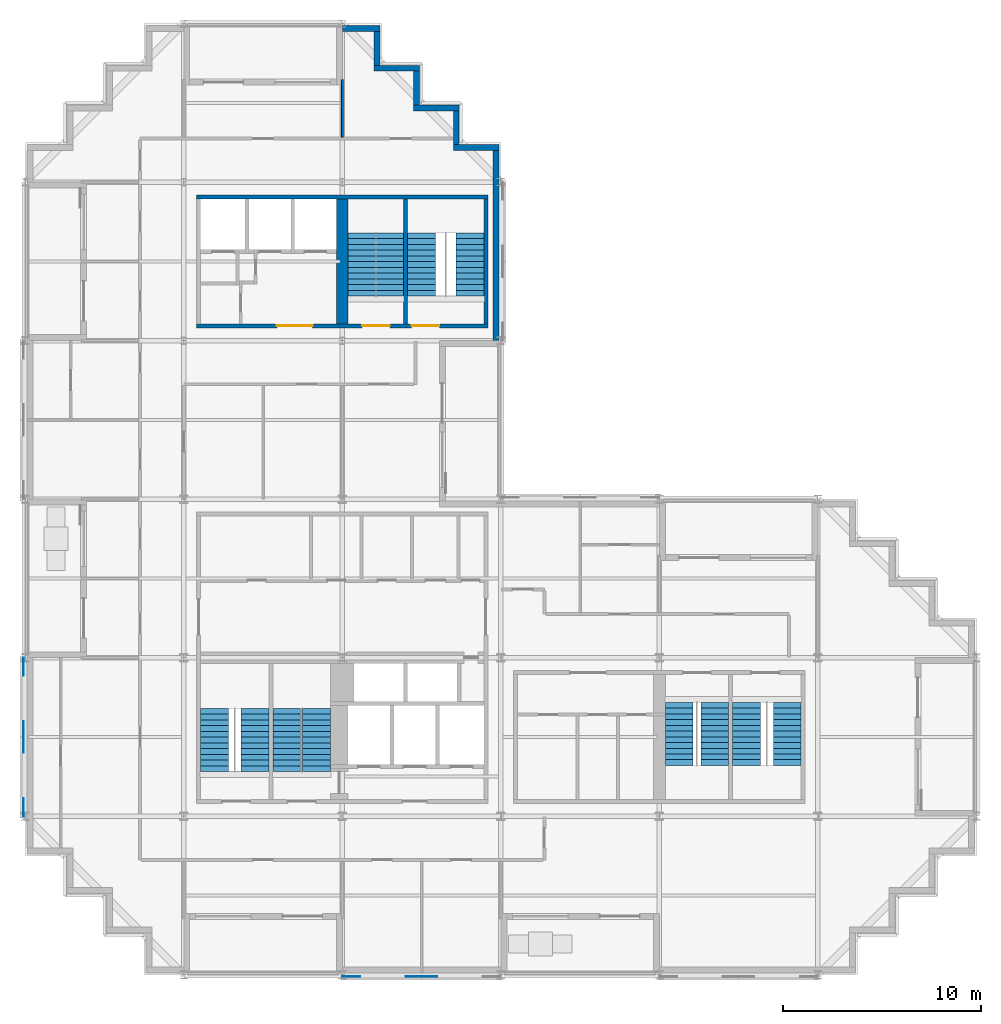
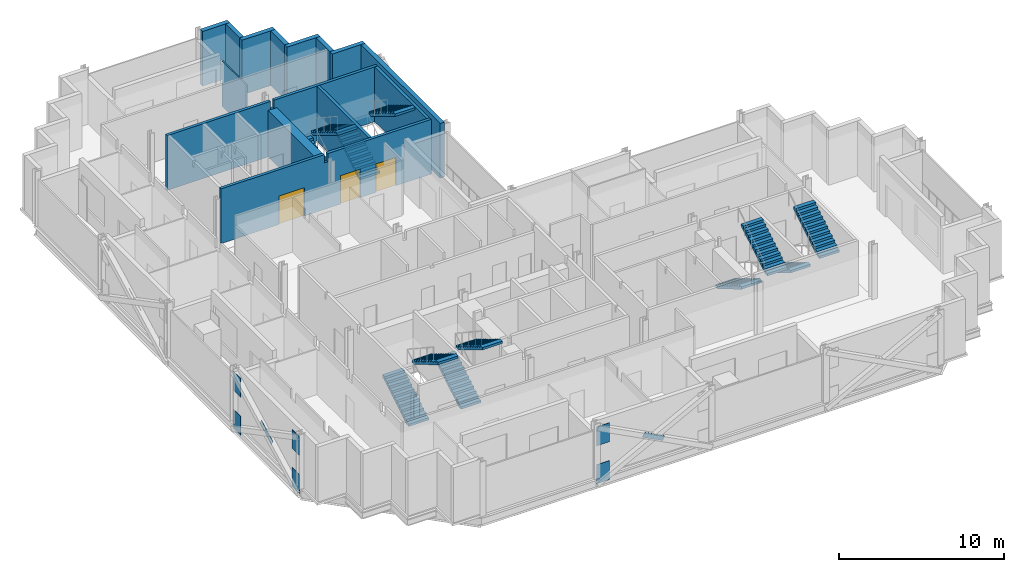
# One storey, part 9 of 13: 14 walls, 12 stair flights, 8 discrete accessories, 3 doors, 3 openings, 6 elements without a shape of their own.
"""IFC4 building model written with IfcOpenShell, lengths in metres."""

import ifcopenshell
import ifcopenshell.guid

model = None  # the IFC model being written
_history = None  # IfcOwnerHistory: only IFC2X3 demands one
_inside = {}  # id of a spatial element -> (the spatial element, [elements in it])
_under = {}  # id of a project, library or spatial element -> (it, [spatial elements below it])
_declared = {}  # id of a project -> (the project, [libraries it declares])
_typed = {}  # id of a type object -> (the type object, [elements of that type])
_made_of = {}  # id of a material, layer set ... -> (it, [elements and type objects made of it])


def new_model(schema):
    """Start an empty IFC model of exactly this schema.

    Asked for "IFC4X3", IfcOpenShell would pick the latest addendum, in which some entities
    have other attributes; the version numbers below select the first issue.
    IFC2X3 requires an IfcOwnerHistory on every rooted entity: one is made here for all.
    """
    global model, _history
    if schema == "IFC4X3":
        model = ifcopenshell.file(schema_version=(4, 3, 0, 0))
    else:
        model = ifcopenshell.file(schema=schema)
    _inside.clear()
    _under.clear()
    _declared.clear()
    _typed.clear()
    _made_of.clear()
    _history = None
    if model.schema == "IFC2X3":
        org = make("IfcOrganization", Name="unknown")
        user = make(
            "IfcPersonAndOrganization",
            ThePerson=make("IfcPerson", FamilyName="unknown"),
            TheOrganization=org,
        )
        app = make(
            "IfcApplication",
            ApplicationDeveloper=org,
            Version="unknown",
            ApplicationFullName="unknown",
            ApplicationIdentifier="unknown",
        )
        _history = make(
            "IfcOwnerHistory",
            OwningUser=user,
            OwningApplication=app,
            ChangeAction="ADDED",
            CreationDate=0,
        )
    return model


def make(cls, **values):
    """One entity of the class cls with the attributes given. An attribute that is None is left unset."""
    return model.create_entity(
        cls, **{name: value for name, value in values.items() if value is not None}
    )


def rooted(cls, **values):
    """An entity with a GlobalId (a new one), such as an element, a storey or a relation."""
    return make(cls, GlobalId=ifcopenshell.guid.new(), OwnerHistory=_history, **values)


def si_unit(unit_type, name, prefix=None):
    """IfcSIUnit, for example si_unit("LENGTHUNIT", "METRE", prefix="MILLI")."""
    return make("IfcSIUnit", UnitType=unit_type, Prefix=prefix, Name=name)


def assignment(units):
    """IfcUnitAssignment: the units of a project."""
    return None if units is None else make("IfcUnitAssignment", Units=units)


def point(xyz):
    """IfcCartesianPoint."""
    return None if xyz is None else make("IfcCartesianPoint", Coordinates=xyz)


def direction(xyz):
    """IfcDirection."""
    return None if xyz is None else make("IfcDirection", DirectionRatios=xyz)


def frame(location, z_axis=None, x_axis=None):
    """IfcAxis2Placement3D, a coordinate frame: its origin and axes. An axis left out is left unset."""
    return make(
        "IfcAxis2Placement3D",
        Location=point(location),
        Axis=direction(z_axis),
        RefDirection=direction(x_axis),
    )


def frame_2d(location, x_axis=None):
    """IfcAxis2Placement2D, a coordinate frame in the plane: its origin and x axis."""
    return make(
        "IfcAxis2Placement2D", Location=point(location), RefDirection=direction(x_axis)
    )


def origin():
    """The frame at (0, 0, 0) with its axes left unset."""
    return frame((0.0, 0.0, 0.0))


def origin_2d():
    """The frame at (0, 0) in the plane with its x axis left unset."""
    return frame_2d((0.0, 0.0))


def place(relative_to, where):
    """IfcLocalPlacement: puts the frame where relative to a parent placement (None: the world)."""
    return make(
        "IfcLocalPlacement", PlacementRelTo=relative_to, RelativePlacement=where
    )


def context(
    kind, dimensions, precision=None, world=None, true_north=None, identifier=None
):
    """IfcGeometricRepresentationContext, for example the 3D "Model" context."""
    return make(
        "IfcGeometricRepresentationContext",
        ContextIdentifier=identifier,
        ContextType=kind,
        CoordinateSpaceDimension=dimensions,
        Precision=precision,
        WorldCoordinateSystem=world,
        TrueNorth=true_north,
    )


def subcontext(parent, identifier, kind, view, scale=None):
    """IfcGeometricRepresentationSubContext, for example "Body" below "Model"."""
    return make(
        "IfcGeometricRepresentationSubContext",
        ContextIdentifier=identifier,
        ContextType=kind,
        ParentContext=parent,
        TargetScale=scale,
        TargetView=view,
    )


def project(units=None, contexts=None):
    """IfcProject with its units and contexts."""
    return rooted(
        "IfcProject",
        Name="project",
        RepresentationContexts=contexts,
        UnitsInContext=assignment(units),
    )


def spatial(cls, under=None, at=None, **own):
    """A site, building, storey or space (cls), placed at a placement, below another one or the project."""
    s = rooted(cls, ObjectPlacement=at, **own)
    if under is not None:
        _under.setdefault(under.id(), (under, []))[1].append(s)
    return s


def polyline(points):
    """IfcPolyline through the points."""
    return make("IfcPolyline", Points=[point(p) for p in points])


def profile(cls, at=None, kind="AREA", **sizes):
    """A parametric profile (cls). Its sizes go by their IFC names, for example OverallWidth=200.0."""
    return make(cls, ProfileType=kind, Position=at, **sizes)


def rectangle(**sizes):
    """IfcRectangleProfileDef."""
    return profile("IfcRectangleProfileDef", **sizes)


def outline(outer, holes=None, kind="AREA"):
    """IfcArbitraryClosedProfileDef: a profile drawn as a closed curve; with holes, ...WithVoids."""
    if holes is None:
        return make("IfcArbitraryClosedProfileDef", ProfileType=kind, OuterCurve=outer)
    return make(
        "IfcArbitraryProfileDefWithVoids",
        ProfileType=kind,
        OuterCurve=outer,
        InnerCurves=holes,
    )


def extrude(swept, where, along, depth):
    """IfcExtrudedAreaSolid: the profile swept, set in the frame where, extruded along a direction by depth."""
    return make(
        "IfcExtrudedAreaSolid",
        SweptArea=swept,
        Position=where,
        ExtrudedDirection=direction(along),
        Depth=depth,
    )


def shape(context_of_items, identifier, shape_type, items):
    """IfcShapeRepresentation: the items that make up one representation, for example the "Body"."""
    return make(
        "IfcShapeRepresentation",
        ContextOfItems=context_of_items,
        RepresentationIdentifier=identifier,
        RepresentationType=shape_type,
        Items=items,
    )


def material(Name=None, Category=None):
    """IfcMaterial."""
    return make("IfcMaterial", Name=Name, Category=Category)


def layer(
    of_material, thickness, ventilated=None, Name=None, Category=None, Priority=None
):
    """IfcMaterialLayer: one layer of a wall or slab, of a material (None: an air gap)."""
    return make(
        "IfcMaterialLayer",
        Material=of_material,
        LayerThickness=thickness,
        IsVentilated=ventilated,
        Name=Name,
        Category=Category,
        Priority=Priority,
    )


def layer_set(layers, Name=None):
    """IfcMaterialLayerSet."""
    return make("IfcMaterialLayerSet", MaterialLayers=layers, LayerSetName=Name)


def material_profile(
    of_material, cross_section, Name=None, Category=None, Priority=None
):
    """IfcMaterialProfile: a cross section and its material."""
    return make(
        "IfcMaterialProfile",
        Name=Name,
        Material=of_material,
        Profile=cross_section,
        Priority=Priority,
        Category=Category,
    )


def profile_set(profiles, Name=None, composite=None):
    """IfcMaterialProfileSet."""
    return make(
        "IfcMaterialProfileSet",
        Name=Name,
        MaterialProfiles=profiles,
        CompositeProfile=composite,
    )


def made_of(thing, what):
    """Note that an element or type object is made of a material, layer set ...; save() writes the relation."""
    if what is not None:
        _made_of.setdefault(what.id(), (what, []))[1].append(thing)
    return thing


def type_object(cls, material=None, **own):
    """A type object (cls), such as IfcWallType, which elements share."""
    return made_of(rooted(cls, **own), material)


def element(
    cls,
    number,
    at=None,
    inside=None,
    cuts=None,
    type_object=None,
    material=None,
    context=None,
    identifier="Body",
    shape_type=None,
    held_by="IfcProductDefinitionShape",
    body=None,
    shapes=None,
    **own,
):
    """One element of the class cls, such as IfcWall. Its Tag is "e" and its number.

    at: its placement. inside: the storey or other place that contains it. cuts: it is an
    opening in that element (IfcRelVoidsElement). A single representation is given by context,
    identifier, shape_type and body (its items); several are given by shapes. held_by: the class
    of the entity that holds the representations. save() writes the other relations.
    """
    e = rooted(cls, Tag="e%d" % number, ObjectPlacement=at, **own)
    if body is not None:
        shapes = [shape(context, identifier, shape_type, body)]
    if shapes is not None:
        e.Representation = make(held_by, Representations=shapes)
    if inside is not None:
        _inside.setdefault(inside.id(), (inside, []))[1].append(e)
    if cuts is not None:
        rooted(
            "IfcRelVoidsElement", RelatingBuildingElement=cuts, RelatedOpeningElement=e
        )
    if type_object is not None:
        _typed.setdefault(type_object.id(), (type_object, []))[1].append(e)
    return made_of(e, material)


def fill(opening, filler):
    """IfcRelFillsElement: the door or window that sits in an opening."""
    return rooted(
        "IfcRelFillsElement",
        RelatingOpeningElement=opening,
        RelatedBuildingElement=filler,
    )


def aggregate(whole, parts):
    """IfcRelAggregates: a whole, such as a stair, and the parts it consists of."""
    return rooted("IfcRelAggregates", RelatingObject=whole, RelatedObjects=parts)


def save(model, path):
    """Write the relations noted so far, then the file.

    IfcRelAggregates (storeys below a building ...), IfcRelContainedInSpatialStructure (elements
    in a storey), IfcRelDefinesByType, IfcRelAssociatesMaterial and IfcRelDeclares: one each for
    every whole, place, type object, material and project.
    """
    for whole, parts in _under.values():
        aggregate(whole, parts)
    for where, things in _inside.values():
        rooted(
            "IfcRelContainedInSpatialStructure",
            RelatedElements=things,
            RelatingStructure=where,
        )
    for kind, things in _typed.values():
        rooted("IfcRelDefinesByType", RelatedObjects=things, RelatingType=kind)
    for what, things in _made_of.values():
        rooted("IfcRelAssociatesMaterial", RelatedObjects=things, RelatingMaterial=what)
    for by, libraries in _declared.values():
        rooted("IfcRelDeclares", RelatingContext=by, RelatedDefinitions=libraries)
    model.write(path)


model = new_model("IFC4")

# Units and contexts
model_context = context("Model", 3, precision=1e-05, world=origin(), true_north=direction((0.0, 1.0)))
body_context = subcontext(model_context, "Body", "Model", "MODEL_VIEW")
ifc_project = project(units=[si_unit("LENGTHUNIT", "METRE"), si_unit("AREAUNIT", "SQUARE_METRE"), si_unit("VOLUMEUNIT", "CUBIC_METRE"), si_unit("PLANEANGLEUNIT", "RADIAN"), si_unit("MASSUNIT", "GRAM", prefix="KILO")], contexts=[model_context])

# Site, building, storey
site_placement = place(None, origin())
site = spatial("IfcSite", under=ifc_project, at=site_placement, CompositionType="ELEMENT")
building_placement = place(site_placement, origin())
building = spatial("IfcBuilding", under=site, at=building_placement, Name="Immortelle Media Tower", CompositionType="ELEMENT")
storey_placement = place(building_placement, frame((0.0, 0.0, 170.39990234375)))
storey = spatial("IfcBuildingStorey", under=building, at=storey_placement, Name="L35", CompositionType="ELEMENT", Elevation=170.39990234375)

# Walls
ifc_material_1 = material(Name="Pale aluminium cladding panel", Category="aluminium")
ifc_layer_1 = layer(ifc_material_1, 0.030029296875)
ifc_material_2 = material(Name="Steel ASTM A653 SS Gr 50 stud frame with mineral wool", Category="steel")
ifc_layer_2 = layer(ifc_material_2, 0.257568359375)
ifc_material_3 = material(Name="Moisture-resistant gypsum board", Category="gypsum")
ifc_layer_3 = layer(ifc_material_3, 0.012451171875)
ifc_layer_set_1 = layer_set([ifc_layer_1, ifc_layer_2, ifc_layer_3], Name="Steel ASTM A653 SS Gr 50 stud frame with mineral wool")
wall_type_1 = type_object("IfcWallType", Name="Facade wall 300", PredefinedType="SOLIDWALL", material=ifc_layer_set_1)
wall_1_placement = place(storey_placement, frame((23.75, 32.0, 0.0), z_axis=(0.0, 0.0, 1.0), x_axis=(0.0, 1.0, 0.0)))
element("IfcWall", 1, at=wall_1_placement, inside=storey, type_object=wall_type_1, Name="Facade wall L35 E21", PredefinedType="SOLIDWALL", context=body_context, shape_type="SweptSolid", body=[
    extrude(rectangle(XDim=9.60009765625, YDim=0.300048828125, at=frame_2d((4.800048828125, 0.0))), origin(), (0.0, 0.0, 1.0), 4.050048828125),
])
wall_2_placement = place(storey_placement, frame((23.89990234375, 41.75, 0.0), z_axis=(0.0, 0.0, 1.0), x_axis=(-1.0, 0.0, 0.0)))
element("IfcWall", 2, at=wall_2_placement, inside=storey, type_object=wall_type_1, Name="Facade wall L35 N22", PredefinedType="SOLIDWALL", context=body_context, shape_type="SweptSolid", body=[
    extrude(rectangle(XDim=2.2998046875, YDim=0.300048828125, at=frame_2d((1.14990234375, 0.0))), origin(), (0.0, 0.0, 1.0), 4.050048828125),
])
wall_3_placement = place(storey_placement, frame((21.75, 41.89990234375, 0.0), z_axis=(0.0, 0.0, 1.0), x_axis=(0.0, 1.0, 0.0)))
element("IfcWall", 3, at=wall_3_placement, inside=storey, type_object=wall_type_1, Name="Facade wall L35 E23", PredefinedType="SOLIDWALL", context=body_context, shape_type="SweptSolid", body=[
    extrude(rectangle(XDim=1.7001953125, YDim=0.300048828125, at=frame_2d((0.85009765625, 0.0))), origin(), (0.0, 0.0, 1.0), 4.050048828125),
])
wall_4_placement = place(storey_placement, frame((21.89990234375, 43.75, 0.0), z_axis=(0.0, 0.0, 1.0), x_axis=(-1.0, 0.0, 0.0)))
element("IfcWall", 4, at=wall_4_placement, inside=storey, type_object=wall_type_1, Name="Facade wall L35 N24", PredefinedType="SOLIDWALL", context=body_context, shape_type="SweptSolid", body=[
    extrude(rectangle(XDim=2.2998046875, YDim=0.300048828125, at=frame_2d((1.14990234375, 0.0))), origin(), (0.0, 0.0, 1.0), 4.050048828125),
])
wall_5_placement = place(storey_placement, frame((19.75, 43.89990234375, 0.0), z_axis=(0.0, 0.0, 1.0), x_axis=(0.0, 1.0, 0.0)))
element("IfcWall", 5, at=wall_5_placement, inside=storey, type_object=wall_type_1, Name="Facade wall L35 E25", PredefinedType="SOLIDWALL", context=body_context, shape_type="SweptSolid", body=[
    extrude(rectangle(XDim=1.7001953125, YDim=0.300048828125, at=frame_2d((0.85009765625, 0.0))), origin(), (0.0, 0.0, 1.0), 4.050048828125),
])
wall_6_placement = place(storey_placement, frame((19.89990234375, 45.75, 0.0), z_axis=(0.0, 0.0, 1.0), x_axis=(-1.0, 0.0, 0.0)))
element("IfcWall", 6, at=wall_6_placement, inside=storey, type_object=wall_type_1, Name="Facade wall L35 N26", PredefinedType="SOLIDWALL", context=body_context, shape_type="SweptSolid", body=[
    extrude(rectangle(XDim=2.2998046875, YDim=0.300048828125, at=frame_2d((1.14990234375, 0.0))), origin(), (0.0, 0.0, 1.0), 4.050048828125),
])
wall_7_placement = place(storey_placement, frame((17.75, 45.89990234375, 0.0), z_axis=(0.0, 0.0, 1.0), x_axis=(0.0, 1.0, 0.0)))
element("IfcWall", 7, at=wall_7_placement, inside=storey, type_object=wall_type_1, Name="Facade wall L35 E27", PredefinedType="SOLIDWALL", context=body_context, shape_type="SweptSolid", body=[
    extrude(rectangle(XDim=1.7001953125, YDim=0.300048828125, at=frame_2d((0.85009765625, 0.0))), origin(), (0.0, 0.0, 1.0), 4.050048828125),
])
wall_8_placement = place(storey_placement, frame((17.89990234375, 47.75, 0.0), z_axis=(0.0, 0.0, 1.0), x_axis=(-1.0, 0.0, 0.0)))
element("IfcWall", 8, at=wall_8_placement, inside=storey, type_object=wall_type_1, Name="Facade wall L35 N28", PredefinedType="SOLIDWALL", context=body_context, shape_type="SweptSolid", body=[
    extrude(rectangle(XDim=1.89990234375, YDim=0.300048828125, at=frame_2d((0.949951171875, 0.0))), origin(), (0.0, 0.0, 1.0), 4.050048828125),
])
ifc_material_4 = material(Name="Gypsum board", Category="gypsum")
ifc_layer_4 = layer(ifc_material_4, 0.012451171875)
ifc_layer_5 = layer(ifc_material_2, 0.074951171875)
ifc_layer_6 = layer(ifc_material_4, 0.012451171875)
ifc_layer_set_2 = layer_set([ifc_layer_4, ifc_layer_5, ifc_layer_6], Name="Steel ASTM A653 SS Gr 50 stud frame with mineral wool")
wall_type_2 = type_object("IfcWallType", Name="Partition 100", PredefinedType="PARTITIONING", material=ifc_layer_set_2)
wall_9_placement = place(storey_placement, frame((16.0, 42.27490234375, 0.0), z_axis=(0.0, 0.0, 1.0), x_axis=(0.0, 1.0, 0.0)))
element("IfcWall", 9, at=wall_9_placement, inside=storey, type_object=wall_type_2, Name="Partition L35-034", PredefinedType="PARTITIONING", context=body_context, shape_type="SweptSolid", body=[
    extrude(rectangle(XDim=2.89501953125, YDim=0.10009765625, at=frame_2d((1.447509765625, 0.0))), origin(), (0.0, 0.0, 1.0), 3.35400390625),
])

# Wall, openings, doors
ifc_material_5 = material(Name="Concrete C60", Category="concrete")
ifc_layer_7 = layer(ifc_material_5, 0.199951171875)
ifc_layer_set_3 = layer_set([ifc_layer_7], Name="Concrete C60")
wall_type_3 = type_object("IfcWallType", Name="Stair shaft wall 200", PredefinedType="PARTITIONING", material=ifc_layer_set_3)
wall_10_placement = place(storey_placement, frame((8.64990234375, 32.75, 0.0), z_axis=(0.0, 0.0, 1.0), x_axis=(1.0, 0.0, 0.0)))
wall_10 = element("IfcWall", 10, at=wall_10_placement, inside=storey, type_object=wall_type_3, Name="Stair shaft wall NW", PredefinedType="PARTITIONING", context=body_context, shape_type="SweptSolid", body=[
    extrude(outline(polyline([(0.0, 0.0), (14.7001953125, 0.0), (14.699951171875, 4.050048828125), (7.468994140625, 4.050048828125), (7.468017578125, 3.442138671875), (7.23193359375, 3.442138671875), (7.23095703125, 4.050048828125), (0.0, 4.050048828125), (0.0, 0.0)])), frame((0.0, 0.10009765625, 0.0), z_axis=(0.0, -1.0, 0.0), x_axis=(1.0, 0.0, 0.0)), (0.0, 0.0, 1.0), 0.199951171875),
])
opening_1_placement = place(wall_10_placement, frame((4.050048828125, 0.0, 0.0)))
opening_1 = element("IfcOpeningElement", 11, at=opening_1_placement, cuts=wall_10, Name="Opening C5-K029", PredefinedType="OPENING", context=body_context, shape_type="SweptSolid", body=[
    extrude(rectangle(XDim=1.800048828125, YDim=2.10009765625, at=frame_2d((0.89990234375, 1.050048828125))), frame((0.0, 0.10986328125, 0.0), z_axis=(0.0, -1.0, 0.0), x_axis=(1.0, 0.0, 0.0)), (0.0, 0.0, 1.0), 0.219970703125),
])
opening_2_placement = place(wall_10_placement, frame((8.35009765625, 0.0, 0.0)))
opening_2 = element("IfcOpeningElement", 12, at=opening_2_placement, cuts=wall_10, Name="Opening C5-K033", PredefinedType="OPENING", context=body_context, shape_type="SweptSolid", body=[
    extrude(rectangle(XDim=1.39990234375, YDim=2.10009765625, at=frame_2d((0.699951171875, 1.050048828125))), frame((0.0, 0.10986328125, 0.0), z_axis=(0.0, -1.0, 0.0), x_axis=(1.0, 0.0, 0.0)), (0.0, 0.0, 1.0), 0.219970703125),
])
opening_3_placement = place(wall_10_placement, frame((10.85009765625, 0.0, 0.0)))
opening_3 = element("IfcOpeningElement", 13, at=opening_3_placement, cuts=wall_10, Name="Opening C5-K034", PredefinedType="OPENING", context=body_context, shape_type="SweptSolid", body=[
    extrude(rectangle(XDim=1.39990234375, YDim=2.10009765625, at=frame_2d((0.699951171875, 1.050048828125))), frame((0.0, 0.10986328125, 0.0), z_axis=(0.0, -1.0, 0.0), x_axis=(1.0, 0.0, 0.0)), (0.0, 0.0, 1.0), 0.219970703125),
])
ifc_material_6 = material(Name="Galvanised steel door leaf and frame ASTM A653", Category="steel")
door_type_1 = type_object("IfcDoorType", Name="Lift lobby door 1800 x 2100", OperationType="DOUBLE_DOOR_SINGLE_SWING", PredefinedType="NOTDEFINED", material=ifc_material_6)
door_1_placement = place(opening_1_placement, origin())
door_1 = element("IfcDoor", 14, at=door_1_placement, inside=storey, type_object=door_type_1, Name="Lift lobby C5-K029", OperationType="DOUBLE_DOOR_SINGLE_SWING", OverallHeight=2.10009765625, OverallWidth=1.800048828125, PredefinedType="NOTDEFINED", context=body_context, shape_type="SweptSolid", body=[
    extrude(rectangle(XDim=1.800048828125, YDim=2.10009765625, at=frame_2d((0.89990234375, 1.050048828125))), frame((0.0, 0.02490234375, 0.0), z_axis=(0.0, -1.0, 0.0), x_axis=(1.0, 0.0, 0.0)), (0.0, 0.0, 1.0), 0.050048828125),
])
fill(opening_1, door_1)
door_type_2 = type_object("IfcDoorType", Name="Stair door 1400 x 2100", OperationType="DOUBLE_DOOR_SINGLE_SWING", PredefinedType="NOTDEFINED", material=ifc_material_6)
door_2_placement = place(opening_2_placement, origin())
door_2 = element("IfcDoor", 15, at=door_2_placement, inside=storey, type_object=door_type_2, Name="Stair C5-K033", OperationType="DOUBLE_DOOR_SINGLE_SWING", OverallHeight=2.10009765625, OverallWidth=1.39990234375, PredefinedType="NOTDEFINED", context=body_context, shape_type="SweptSolid", body=[
    extrude(rectangle(XDim=1.39990234375, YDim=2.10009765625, at=frame_2d((0.699951171875, 1.050048828125))), frame((0.0, 0.02490234375, 0.0), z_axis=(0.0, -1.0, 0.0), x_axis=(1.0, 0.0, 0.0)), (0.0, 0.0, 1.0), 0.050048828125),
])
fill(opening_2, door_2)
door_3_placement = place(opening_3_placement, origin())
door_3 = element("IfcDoor", 16, at=door_3_placement, inside=storey, type_object=door_type_2, Name="Stair C5-K034", OperationType="DOUBLE_DOOR_SINGLE_SWING", OverallHeight=2.10009765625, OverallWidth=1.39990234375, PredefinedType="NOTDEFINED", context=body_context, shape_type="SweptSolid", body=[
    extrude(rectangle(XDim=1.39990234375, YDim=2.10009765625, at=frame_2d((0.699951171875, 1.050048828125))), frame((0.0, 0.02490234375, 0.0), z_axis=(0.0, -1.0, 0.0), x_axis=(1.0, 0.0, 0.0)), (0.0, 0.0, 1.0), 0.050048828125),
])
fill(opening_3, door_3)

# Walls
wall_11_placement = place(storey_placement, frame((8.64990234375, 39.25, 0.0), z_axis=(0.0, 0.0, 1.0), x_axis=(1.0, 0.0, 0.0)))
element("IfcWall", 17, at=wall_11_placement, inside=storey, type_object=wall_type_3, Name="Stair shaft wall NW", PredefinedType="PARTITIONING", context=body_context, shape_type="SweptSolid", body=[
    extrude(outline(polyline([(0.0, 0.0), (14.7001953125, 0.0), (14.699951171875, 4.050048828125), (7.468994140625, 4.050048828125), (7.468017578125, 3.442138671875), (7.23193359375, 3.442138671875), (7.23095703125, 4.050048828125), (0.0, 4.050048828125), (0.0, 0.0)])), frame((0.0, 0.10009765625, 0.0), z_axis=(0.0, -1.0, 0.0), x_axis=(1.0, 0.0, 0.0)), (0.0, 0.0, 1.0), 0.199951171875),
])
for number, where, z_axis, x_axis, name in (
    (18, (19.199951171875, 32.85009765625, 0.0), (0.0, 0.0, 1.0), (0.0, 1.0, 0.0), "Stair shaft wall NW"),
    (19, (23.25, 32.85009765625, 0.0), (0.0, 0.0, 1.0), (0.0, 1.0, 0.0), "Stair shaft wall NW"),
):
    element("IfcWall", number, at=place(storey_placement, frame(where, z_axis=z_axis, x_axis=x_axis)), inside=storey, type_object=wall_type_3, Name=name, PredefinedType="PARTITIONING", context=body_context, shape_type="SweptSolid", body=[
        extrude(rectangle(XDim=6.2998046875, YDim=0.199951171875, at=frame_2d((3.14990234375, 0.0))), origin(), (0.0, 0.0, 1.0), 4.050048828125),
    ])
ifc_layer_8 = layer(ifc_material_5, 0.60009765625)
ifc_layer_set_4 = layer_set([ifc_layer_8], Name="Concrete C60")
wall_type_4 = type_object("IfcWallType", Name="Stair shaft wall 600", PredefinedType="PARTITIONING", material=ifc_layer_set_4)
wall_12_placement = place(storey_placement, frame((16.0, 32.85009765625, 0.0), z_axis=(0.0, 0.0, 1.0), x_axis=(0.0, 1.0, 0.0)))
element("IfcWall", 20, at=wall_12_placement, inside=storey, type_object=wall_type_4, Name="Stair shaft wall NW", PredefinedType="PARTITIONING", context=body_context, shape_type="SweptSolid", body=[
    extrude(rectangle(XDim=6.2998046875, YDim=0.60009765625, at=frame_2d((3.14990234375, 0.0))), origin(), (0.0, 0.0, 1.0), 3.442138671875),
])

# Stair, stair flights
ifc_material_7 = material(Name="Steel ASTM A992 Gr 50", Category="steel")
stair_type = type_object("IfcStairType", Name="Stair with flights", PredefinedType="DOUBLE_RETURN_STAIR", material=ifc_material_7)
stair_1_placement = place(storey_placement, origin())
stair_1 = element("IfcStair", 21, at=stair_1_placement, inside=storey, type_object=stair_type, Name="Exit stair SW1", PredefinedType="DOUBLE_RETURN_STAIR")
stair_flight_type = type_object("IfcStairFlightType", Name="Stair flight 1400", PredefinedType="STRAIGHT", material=ifc_material_7)
stair_flight_1_placement = place(storey_placement, frame((9.550048828125, 10.25, 0.0), z_axis=(0.0, 0.0, 1.0), x_axis=(0.0, 1.0, 0.0)))
stair_flight_1 = element("IfcStairFlight", 22, at=stair_flight_1_placement, type_object=stair_flight_type, Name="ST SW1 flight 1", NumberOfRisers=12, NumberOfTreads=11, PredefinedType="STRAIGHT", RiserHeight=0.175, TreadLength=0.29, context=body_context, shape_type="SweptSolid", body=[
    extrude(outline(polyline([(0.0, 0.0), (0.0, 0.175048828125), (0.2900390625, 0.175048828125), (0.2900390625, 0.35009765625), (0.580078125, 0.35009765625), (0.580078125, 0.52490234375), (0.8701171875, 0.52490234375), (0.8701171875, 0.699951171875), (1.159912109375, 0.699951171875), (1.159912109375, 0.875), (1.449951171875, 0.875), (1.449951171875, 1.050048828125), (1.739990234375, 1.050048828125), (1.739990234375, 1.22509765625), (2.030029296875, 1.22509765625), (2.030029296875, 1.39990234375), (2.320068359375, 1.39990234375), (2.320068359375, 1.574951171875), (2.610107421875, 1.574951171875), (2.610107421875, 1.75), (2.89990234375, 1.75), (2.89990234375, 1.925048828125), (3.18994140625, 1.925048828125), (3.18994140625, 2.10009765625), (3.18994140625, 1.75), (0.2900390625, 0.0), (0.0, 0.0)])), frame((0.0, 0.699951171875, 0.0), z_axis=(0.0, -1.0, 0.0), x_axis=(1.0, 0.0, 0.0)), (0.0, 0.0, 1.0), 1.39990234375),
])
stair_flight_2_placement = place(storey_placement, frame((11.60009765625, 13.43994140625, 2.10009765625), z_axis=(0.0, 0.0, 1.0), x_axis=(0.0, -1.0, 0.0)))
stair_flight_2 = element("IfcStairFlight", 23, at=stair_flight_2_placement, type_object=stair_flight_type, Name="ST SW1 flight 2", NumberOfRisers=12, NumberOfTreads=11, PredefinedType="STRAIGHT", RiserHeight=0.175, TreadLength=0.29, context=body_context, shape_type="SweptSolid", body=[
    extrude(outline(polyline([(0.0, 0.0), (0.0, 0.175048828125), (0.2900390625, 0.175048828125), (0.2900390625, 0.35009765625), (0.580078125, 0.35009765625), (0.580078125, 0.52490234375), (0.8701171875, 0.52490234375), (0.8701171875, 0.699951171875), (1.159912109375, 0.699951171875), (1.159912109375, 0.875), (1.449951171875, 0.875), (1.449951171875, 1.050048828125), (1.739990234375, 1.050048828125), (1.739990234375, 1.22509765625), (2.030029296875, 1.22509765625), (2.030029296875, 1.39990234375), (2.320068359375, 1.39990234375), (2.320068359375, 1.574951171875), (2.610107421875, 1.574951171875), (2.610107421875, 1.75), (2.89990234375, 1.75), (2.89990234375, 1.925048828125), (3.18994140625, 1.925048828125), (3.18994140625, 2.10009765625), (3.18994140625, 1.75), (0.2900390625, 0.0), (0.0, 0.0)])), frame((0.0, 0.699951171875, 0.0), z_axis=(0.0, -1.0, 0.0), x_axis=(1.0, 0.0, 0.0)), (0.0, 0.0, 1.0), 1.39990234375),
])
aggregate(stair_1, [stair_flight_1, stair_flight_2])

stair_2_placement = place(storey_placement, origin())
stair_2 = element("IfcStair", 24, at=stair_2_placement, inside=storey, type_object=stair_type, Name="Exit stair SW2", PredefinedType="DOUBLE_RETURN_STAIR")
stair_flight_3_placement = place(storey_placement, frame((13.199951171875, 10.25, 0.0), z_axis=(0.0, 0.0, 1.0), x_axis=(0.0, 1.0, 0.0)))
stair_flight_3 = element("IfcStairFlight", 25, at=stair_flight_3_placement, type_object=stair_flight_type, Name="ST SW2 flight 1", NumberOfRisers=12, NumberOfTreads=11, PredefinedType="STRAIGHT", RiserHeight=0.175, TreadLength=0.29, context=body_context, shape_type="SweptSolid", body=[
    extrude(outline(polyline([(0.0, 0.0), (0.0, 0.175048828125), (0.2900390625, 0.175048828125), (0.2900390625, 0.35009765625), (0.580078125, 0.35009765625), (0.580078125, 0.52490234375), (0.8701171875, 0.52490234375), (0.8701171875, 0.699951171875), (1.159912109375, 0.699951171875), (1.159912109375, 0.875), (1.449951171875, 0.875), (1.449951171875, 1.050048828125), (1.739990234375, 1.050048828125), (1.739990234375, 1.22509765625), (2.030029296875, 1.22509765625), (2.030029296875, 1.39990234375), (2.320068359375, 1.39990234375), (2.320068359375, 1.574951171875), (2.610107421875, 1.574951171875), (2.610107421875, 1.75), (2.89990234375, 1.75), (2.89990234375, 1.925048828125), (3.18994140625, 1.925048828125), (3.18994140625, 2.10009765625), (3.18994140625, 1.75), (0.2900390625, 0.0), (0.0, 0.0)])), frame((0.0, 0.699951171875, 0.0), z_axis=(0.0, -1.0, 0.0), x_axis=(1.0, 0.0, 0.0)), (0.0, 0.0, 1.0), 1.39990234375),
])
stair_flight_4_placement = place(storey_placement, frame((14.699951171875, 13.43994140625, 2.10009765625), z_axis=(0.0, 0.0, 1.0), x_axis=(0.0, -1.0, 0.0)))
stair_flight_4 = element("IfcStairFlight", 26, at=stair_flight_4_placement, type_object=stair_flight_type, Name="ST SW2 flight 2", NumberOfRisers=12, NumberOfTreads=11, PredefinedType="STRAIGHT", RiserHeight=0.175, TreadLength=0.29, context=body_context, shape_type="SweptSolid", body=[
    extrude(outline(polyline([(0.0, 0.0), (0.0, 0.175048828125), (0.2900390625, 0.175048828125), (0.2900390625, 0.35009765625), (0.580078125, 0.35009765625), (0.580078125, 0.52490234375), (0.8701171875, 0.52490234375), (0.8701171875, 0.699951171875), (1.159912109375, 0.699951171875), (1.159912109375, 0.875), (1.449951171875, 0.875), (1.449951171875, 1.050048828125), (1.739990234375, 1.050048828125), (1.739990234375, 1.22509765625), (2.030029296875, 1.22509765625), (2.030029296875, 1.39990234375), (2.320068359375, 1.39990234375), (2.320068359375, 1.574951171875), (2.610107421875, 1.574951171875), (2.610107421875, 1.75), (2.89990234375, 1.75), (2.89990234375, 1.925048828125), (3.18994140625, 1.925048828125), (3.18994140625, 2.10009765625), (3.18994140625, 1.75), (0.2900390625, 0.0), (0.0, 0.0)])), frame((0.0, 0.699951171875, 0.0), z_axis=(0.0, -1.0, 0.0), x_axis=(1.0, 0.0, 0.0)), (0.0, 0.0, 1.0), 1.39990234375),
])
aggregate(stair_2, [stair_flight_3, stair_flight_4])

stair_3_placement = place(storey_placement, origin())
stair_3 = element("IfcStair", 27, at=stair_3_placement, inside=storey, type_object=stair_type, Name="Exit stair SE1", PredefinedType="DOUBLE_RETURN_STAIR")
stair_flight_5_placement = place(storey_placement, frame((33.0, 13.75, 0.0), z_axis=(0.0, 0.0, 1.0), x_axis=(0.0, -1.0, 0.0)))
stair_flight_5 = element("IfcStairFlight", 28, at=stair_flight_5_placement, type_object=stair_flight_type, Name="ST SE1 flight 1", NumberOfRisers=12, NumberOfTreads=11, PredefinedType="STRAIGHT", RiserHeight=0.175, TreadLength=0.29, context=body_context, shape_type="SweptSolid", body=[
    extrude(outline(polyline([(0.0, 0.0), (0.0, 0.175048828125), (0.2900390625, 0.175048828125), (0.2900390625, 0.35009765625), (0.580078125, 0.35009765625), (0.580078125, 0.52490234375), (0.8701171875, 0.52490234375), (0.8701171875, 0.699951171875), (1.159912109375, 0.699951171875), (1.159912109375, 0.875), (1.449951171875, 0.875), (1.449951171875, 1.050048828125), (1.739990234375, 1.050048828125), (1.739990234375, 1.22509765625), (2.030029296875, 1.22509765625), (2.030029296875, 1.39990234375), (2.320068359375, 1.39990234375), (2.320068359375, 1.574951171875), (2.610107421875, 1.574951171875), (2.610107421875, 1.75), (2.89990234375, 1.75), (2.89990234375, 1.925048828125), (3.18994140625, 1.925048828125), (3.18994140625, 2.10009765625), (3.18994140625, 1.75), (0.2900390625, 0.0), (0.0, 0.0)])), frame((0.0, 0.699951171875, 0.0), z_axis=(0.0, -1.0, 0.0), x_axis=(1.0, 0.0, 0.0)), (0.0, 0.0, 1.0), 1.39990234375),
])
stair_flight_6_placement = place(storey_placement, frame((34.800048828125, 10.56005859375, 2.10009765625), z_axis=(0.0, 0.0, 1.0), x_axis=(0.0, 1.0, 0.0)))
stair_flight_6 = element("IfcStairFlight", 29, at=stair_flight_6_placement, type_object=stair_flight_type, Name="ST SE1 flight 2", NumberOfRisers=12, NumberOfTreads=11, PredefinedType="STRAIGHT", RiserHeight=0.175, TreadLength=0.29, context=body_context, shape_type="SweptSolid", body=[
    extrude(outline(polyline([(0.0, 0.0), (0.0, 0.175048828125), (0.2900390625, 0.175048828125), (0.2900390625, 0.35009765625), (0.580078125, 0.35009765625), (0.580078125, 0.52490234375), (0.8701171875, 0.52490234375), (0.8701171875, 0.699951171875), (1.159912109375, 0.699951171875), (1.159912109375, 0.875), (1.449951171875, 0.875), (1.449951171875, 1.050048828125), (1.739990234375, 1.050048828125), (1.739990234375, 1.22509765625), (2.030029296875, 1.22509765625), (2.030029296875, 1.39990234375), (2.320068359375, 1.39990234375), (2.320068359375, 1.574951171875), (2.610107421875, 1.574951171875), (2.610107421875, 1.75), (2.89990234375, 1.75), (2.89990234375, 1.925048828125), (3.18994140625, 1.925048828125), (3.18994140625, 2.10009765625), (3.18994140625, 1.75), (0.2900390625, 0.0), (0.0, 0.0)])), frame((0.0, 0.699951171875, 0.0), z_axis=(0.0, -1.0, 0.0), x_axis=(1.0, 0.0, 0.0)), (0.0, 0.0, 1.0), 1.39990234375),
])
aggregate(stair_3, [stair_flight_5, stair_flight_6])

stair_4_placement = place(storey_placement, origin())
stair_4 = element("IfcStair", 30, at=stair_4_placement, inside=storey, type_object=stair_type, Name="Exit stair SE2", PredefinedType="DOUBLE_RETURN_STAIR")
stair_flight_7_placement = place(storey_placement, frame((36.39990234375, 13.75, 0.0), z_axis=(0.0, 0.0, 1.0), x_axis=(0.0, -1.0, 0.0)))
stair_flight_7 = element("IfcStairFlight", 31, at=stair_flight_7_placement, type_object=stair_flight_type, Name="ST SE2 flight 1", NumberOfRisers=12, NumberOfTreads=11, PredefinedType="STRAIGHT", RiserHeight=0.175, TreadLength=0.29, context=body_context, shape_type="SweptSolid", body=[
    extrude(outline(polyline([(0.0, 0.0), (0.0, 0.175048828125), (0.2900390625, 0.175048828125), (0.2900390625, 0.35009765625), (0.580078125, 0.35009765625), (0.580078125, 0.52490234375), (0.8701171875, 0.52490234375), (0.8701171875, 0.699951171875), (1.159912109375, 0.699951171875), (1.159912109375, 0.875), (1.449951171875, 0.875), (1.449951171875, 1.050048828125), (1.739990234375, 1.050048828125), (1.739990234375, 1.22509765625), (2.030029296875, 1.22509765625), (2.030029296875, 1.39990234375), (2.320068359375, 1.39990234375), (2.320068359375, 1.574951171875), (2.610107421875, 1.574951171875), (2.610107421875, 1.75), (2.89990234375, 1.75), (2.89990234375, 1.925048828125), (3.18994140625, 1.925048828125), (3.18994140625, 2.10009765625), (3.18994140625, 1.75), (0.2900390625, 0.0), (0.0, 0.0)])), frame((0.0, 0.699951171875, 0.0), z_axis=(0.0, -1.0, 0.0), x_axis=(1.0, 0.0, 0.0)), (0.0, 0.0, 1.0), 1.39990234375),
])
stair_flight_8_placement = place(storey_placement, frame((38.449951171875, 10.56005859375, 2.10009765625), z_axis=(0.0, 0.0, 1.0), x_axis=(0.0, 1.0, 0.0)))
stair_flight_8 = element("IfcStairFlight", 32, at=stair_flight_8_placement, type_object=stair_flight_type, Name="ST SE2 flight 2", NumberOfRisers=12, NumberOfTreads=11, PredefinedType="STRAIGHT", RiserHeight=0.175, TreadLength=0.29, context=body_context, shape_type="SweptSolid", body=[
    extrude(outline(polyline([(0.0, 0.0), (0.0, 0.175048828125), (0.2900390625, 0.175048828125), (0.2900390625, 0.35009765625), (0.580078125, 0.35009765625), (0.580078125, 0.52490234375), (0.8701171875, 0.52490234375), (0.8701171875, 0.699951171875), (1.159912109375, 0.699951171875), (1.159912109375, 0.875), (1.449951171875, 0.875), (1.449951171875, 1.050048828125), (1.739990234375, 1.050048828125), (1.739990234375, 1.22509765625), (2.030029296875, 1.22509765625), (2.030029296875, 1.39990234375), (2.320068359375, 1.39990234375), (2.320068359375, 1.574951171875), (2.610107421875, 1.574951171875), (2.610107421875, 1.75), (2.89990234375, 1.75), (2.89990234375, 1.925048828125), (3.18994140625, 1.925048828125), (3.18994140625, 2.10009765625), (3.18994140625, 1.75), (0.2900390625, 0.0), (0.0, 0.0)])), frame((0.0, 0.699951171875, 0.0), z_axis=(0.0, -1.0, 0.0), x_axis=(1.0, 0.0, 0.0)), (0.0, 0.0, 1.0), 1.39990234375),
])
aggregate(stair_4, [stair_flight_7, stair_flight_8])

stair_5_placement = place(storey_placement, origin())
stair_5 = element("IfcStair", 33, at=stair_5_placement, inside=storey, type_object=stair_type, Name="Exit stair NW1", PredefinedType="DOUBLE_RETURN_STAIR")
stair_flight_9_placement = place(storey_placement, frame((17.0, 34.25, 0.0), z_axis=(0.0, 0.0, 1.0), x_axis=(0.0, 1.0, 0.0)))
stair_flight_9 = element("IfcStairFlight", 34, at=stair_flight_9_placement, type_object=stair_flight_type, Name="ST NW1 flight 1", NumberOfRisers=12, NumberOfTreads=11, PredefinedType="STRAIGHT", RiserHeight=0.175, TreadLength=0.29, context=body_context, shape_type="SweptSolid", body=[
    extrude(outline(polyline([(0.0, 0.0), (0.0, 0.175048828125), (0.2900390625, 0.175048828125), (0.2900390625, 0.35009765625), (0.580078125, 0.35009765625), (0.580078125, 0.52490234375), (0.8701171875, 0.52490234375), (0.8701171875, 0.699951171875), (1.159912109375, 0.699951171875), (1.159912109375, 0.875), (1.449951171875, 0.875), (1.449951171875, 1.050048828125), (1.739990234375, 1.050048828125), (1.739990234375, 1.22509765625), (2.030029296875, 1.22509765625), (2.030029296875, 1.39990234375), (2.320068359375, 1.39990234375), (2.320068359375, 1.574951171875), (2.610107421875, 1.574951171875), (2.610107421875, 1.75), (2.89990234375, 1.75), (2.89990234375, 1.925048828125), (3.18994140625, 1.925048828125), (3.18994140625, 2.10009765625), (3.18994140625, 1.75), (0.2900390625, 0.0), (0.0, 0.0)])), frame((0.0, 0.699951171875, 0.0), z_axis=(0.0, -1.0, 0.0), x_axis=(1.0, 0.0, 0.0)), (0.0, 0.0, 1.0), 1.39990234375),
])
stair_flight_10_placement = place(storey_placement, frame((18.39990234375, 37.43994140625, 2.10009765625), z_axis=(0.0, 0.0, 1.0), x_axis=(0.0, -1.0, 0.0)))
stair_flight_10 = element("IfcStairFlight", 35, at=stair_flight_10_placement, type_object=stair_flight_type, Name="ST NW1 flight 2", NumberOfRisers=12, NumberOfTreads=11, PredefinedType="STRAIGHT", RiserHeight=0.175, TreadLength=0.29, context=body_context, shape_type="SweptSolid", body=[
    extrude(outline(polyline([(0.0, 0.0), (0.0, 0.175048828125), (0.2900390625, 0.175048828125), (0.2900390625, 0.35009765625), (0.580078125, 0.35009765625), (0.580078125, 0.52490234375), (0.8701171875, 0.52490234375), (0.8701171875, 0.699951171875), (1.159912109375, 0.699951171875), (1.159912109375, 0.875), (1.449951171875, 0.875), (1.449951171875, 1.050048828125), (1.739990234375, 1.050048828125), (1.739990234375, 1.22509765625), (2.030029296875, 1.22509765625), (2.030029296875, 1.39990234375), (2.320068359375, 1.39990234375), (2.320068359375, 1.574951171875), (2.610107421875, 1.574951171875), (2.610107421875, 1.75), (2.89990234375, 1.75), (2.89990234375, 1.925048828125), (3.18994140625, 1.925048828125), (3.18994140625, 2.10009765625), (3.18994140625, 1.75), (0.2900390625, 0.0), (0.0, 0.0)])), frame((0.0, 0.699951171875, 0.0), z_axis=(0.0, -1.0, 0.0), x_axis=(1.0, 0.0, 0.0)), (0.0, 0.0, 1.0), 1.39990234375),
])
aggregate(stair_5, [stair_flight_9, stair_flight_10])

stair_6_placement = place(storey_placement, origin())
stair_6 = element("IfcStair", 36, at=stair_6_placement, inside=storey, type_object=stair_type, Name="Exit stair NW2", PredefinedType="DOUBLE_RETURN_STAIR")
stair_flight_11_placement = place(storey_placement, frame((20.0, 34.25, 0.0), z_axis=(0.0, 0.0, 1.0), x_axis=(0.0, 1.0, 0.0)))
stair_flight_11 = element("IfcStairFlight", 37, at=stair_flight_11_placement, type_object=stair_flight_type, Name="ST NW2 flight 1", NumberOfRisers=12, NumberOfTreads=11, PredefinedType="STRAIGHT", RiserHeight=0.175, TreadLength=0.29, context=body_context, shape_type="SweptSolid", body=[
    extrude(outline(polyline([(0.0, 0.0), (0.0, 0.175048828125), (0.2900390625, 0.175048828125), (0.2900390625, 0.35009765625), (0.580078125, 0.35009765625), (0.580078125, 0.52490234375), (0.8701171875, 0.52490234375), (0.8701171875, 0.699951171875), (1.159912109375, 0.699951171875), (1.159912109375, 0.875), (1.449951171875, 0.875), (1.449951171875, 1.050048828125), (1.739990234375, 1.050048828125), (1.739990234375, 1.22509765625), (2.030029296875, 1.22509765625), (2.030029296875, 1.39990234375), (2.320068359375, 1.39990234375), (2.320068359375, 1.574951171875), (2.610107421875, 1.574951171875), (2.610107421875, 1.75), (2.89990234375, 1.75), (2.89990234375, 1.925048828125), (3.18994140625, 1.925048828125), (3.18994140625, 2.10009765625), (3.18994140625, 1.75), (0.2900390625, 0.0), (0.0, 0.0)])), frame((0.0, 0.699951171875, 0.0), z_axis=(0.0, -1.0, 0.0), x_axis=(1.0, 0.0, 0.0)), (0.0, 0.0, 1.0), 1.39990234375),
])
stair_flight_12_placement = place(storey_placement, frame((22.449951171875, 37.43994140625, 2.10009765625), z_axis=(0.0, 0.0, 1.0), x_axis=(0.0, -1.0, 0.0)))
stair_flight_12 = element("IfcStairFlight", 38, at=stair_flight_12_placement, type_object=stair_flight_type, Name="ST NW2 flight 2", NumberOfRisers=12, NumberOfTreads=11, PredefinedType="STRAIGHT", RiserHeight=0.175, TreadLength=0.29, context=body_context, shape_type="SweptSolid", body=[
    extrude(outline(polyline([(0.0, 0.0), (0.0, 0.175048828125), (0.2900390625, 0.175048828125), (0.2900390625, 0.35009765625), (0.580078125, 0.35009765625), (0.580078125, 0.52490234375), (0.8701171875, 0.52490234375), (0.8701171875, 0.699951171875), (1.159912109375, 0.699951171875), (1.159912109375, 0.875), (1.449951171875, 0.875), (1.449951171875, 1.050048828125), (1.739990234375, 1.050048828125), (1.739990234375, 1.22509765625), (2.030029296875, 1.22509765625), (2.030029296875, 1.39990234375), (2.320068359375, 1.39990234375), (2.320068359375, 1.574951171875), (2.610107421875, 1.574951171875), (2.610107421875, 1.75), (2.89990234375, 1.75), (2.89990234375, 1.925048828125), (3.18994140625, 1.925048828125), (3.18994140625, 2.10009765625), (3.18994140625, 1.75), (0.2900390625, 0.0), (0.0, 0.0)])), frame((0.0, 0.699951171875, 0.0), z_axis=(0.0, -1.0, 0.0), x_axis=(1.0, 0.0, 0.0)), (0.0, 0.0, 1.0), 1.39990234375),
])
aggregate(stair_6, [stair_flight_11, stair_flight_12])

# Discrete accessories
ifc_material_8 = material(Name="Steel ASTM A572 Gr 50", Category="steel")
ifc_material_profile_1 = material_profile(ifc_material_8, rectangle(XDim=0.02392578125, YDim=0.35595703125, at=origin_2d()), Name="PL 24 x 356")
ifc_profile_set_1 = profile_set([ifc_material_profile_1], Name="Steel ASTM A572 Gr 50")
discrete_accessory_type_1 = type_object("IfcDiscreteAccessoryType", Name="Crossing plate XP-BR5 1600 x 356 x 24", PredefinedType="USERDEFINED", material=ifc_profile_set_1)
for number, where, z_axis, x_axis, name in (
    (39, (-0.087890625, 12.708251953125, 2.015869140625), (0.0, -0.885401043099, -0.464827917491), (1.0, 0.0, 0.0), "Crossing plate XP-BR5 of Brace 1/B-C A and Brace 1/B-C B"),
    (40, (19.291748046875, -0.087890625, 2.015869140625), (0.885401043099, 0.0, -0.464827917491), (0.0, 1.0, 0.0), "Crossing plate XP-BR5 of Brace A/3-4 A and Brace A/3-4 B"),
):
    element("IfcDiscreteAccessory", number, at=place(storey_placement, frame(where, z_axis=z_axis, x_axis=x_axis)), inside=storey, type_object=discrete_accessory_type_1, Name=name, ObjectType="CROSSING PLATE", PredefinedType="USERDEFINED", context=body_context, shape_type="SweptSolid", body=[
        extrude(rectangle(XDim=0.02392578125, YDim=0.35595703125, at=origin_2d()), origin(), (0.0, 0.0, 1.0), 1.599853515625),
    ])
ifc_material_profile_2 = material_profile(ifc_material_8, rectangle(XDim=0.031982421875, YDim=1.39990234375, at=origin_2d()), Name="PL 32 x 1400")
ifc_profile_set_2 = profile_set([ifc_material_profile_2], Name="Steel ASTM A572 Gr 50")
discrete_accessory_type_2 = type_object("IfcDiscreteAccessoryType", Name="Gusset plate GP1 900 x 1400 x 32", PredefinedType="USERDEFINED", material=ifc_profile_set_2)
for number, where, z_axis, x_axis, name in (
    (41, (16.0, -0.087890625, 0.244140625), (1.0, 0.0, 0.0), (0.0, 1.0, 0.0), "Gusset plate GP1, lower end of Brace A/3-4 A"),
    (42, (16.0, -0.087890625, 3.044189453125), (1.0, 0.0, 0.0), (0.0, 1.0, 0.0), "Gusset plate GP1, upper end of Brace A/3-4 B"),
    (43, (-0.087890625, 16.0, 0.244140625), (0.0, -1.0, 0.0), (1.0, 0.0, 0.0), "Gusset plate GP1, lower end of Brace 1/B-C A"),
    (44, (-0.087890625, 8.0, 3.044189453125), (0.0, 1.0, 0.0), (-1.0, 0.0, 0.0), "Gusset plate GP1, upper end of Brace 1/B-C A"),
    (45, (-0.087890625, 8.0, 0.244140625), (0.0, 1.0, 0.0), (-1.0, 0.0, 0.0), "Gusset plate GP1, lower end of Brace 1/B-C B"),
    (46, (-0.087890625, 16.0, 3.044189453125), (0.0, -1.0, 0.0), (1.0, 0.0, 0.0), "Gusset plate GP1, upper end of Brace 1/B-C B"),
):
    element("IfcDiscreteAccessory", number, at=place(storey_placement, frame(where, z_axis=z_axis, x_axis=x_axis)), inside=storey, type_object=discrete_accessory_type_2, Name=name, ObjectType="GUSSET PLATE", PredefinedType="USERDEFINED", context=body_context, shape_type="SweptSolid", body=[
        extrude(rectangle(XDim=0.031982421875, YDim=1.39990234375, at=origin_2d()), origin(), (0.0, 0.0, 1.0), 0.89990234375),
    ])

save(model, "model.ifc")
